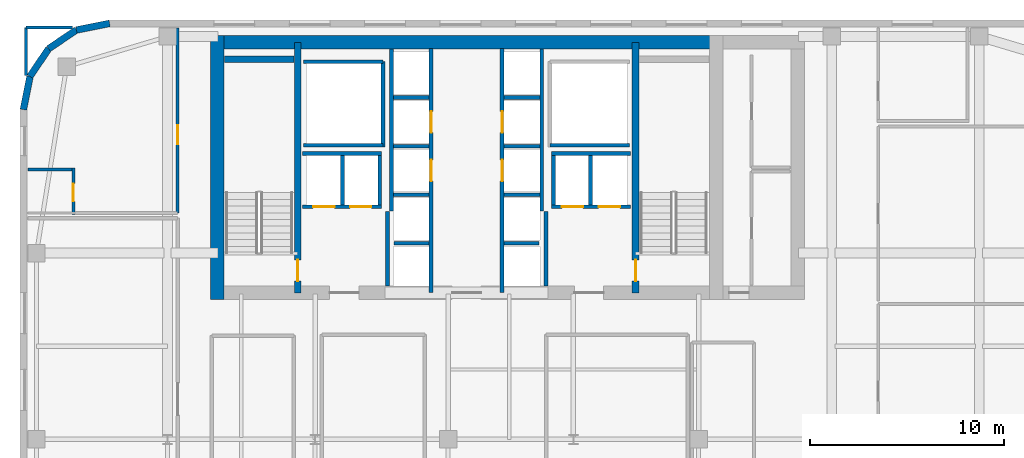
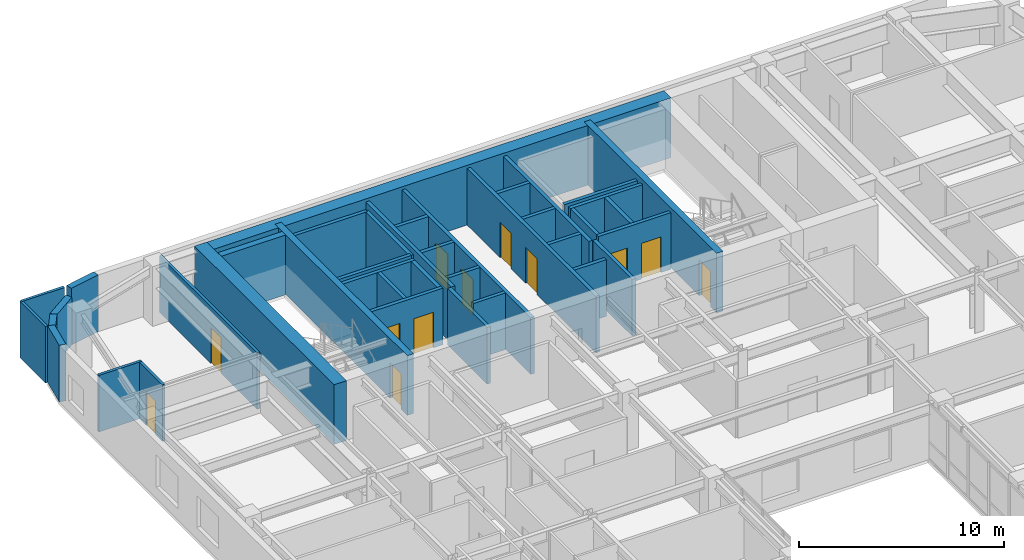
# One storey, part 14 of 17: 40 walls, 12 doors, 12 openings.
"""IFC4 building model written with IfcOpenShell, lengths in metres."""

from ifc_helpers import new_model, si_unit, direction, frame, frame_2d, origin, place, context, subcontext, project, spatial, rectangle, extrude, source, transform, mapped, material, layer, layer_set, type_object, type_shapes, element, fill, save


model = new_model("IFC4")

# Units and contexts
model_context = context("Model", 3, precision=1e-05, world=origin(), true_north=direction((0.0, 1.0)))
body_context = subcontext(model_context, "Body", "Model", "MODEL_VIEW")
ifc_project = project(units=[si_unit("LENGTHUNIT", "METRE"), si_unit("AREAUNIT", "SQUARE_METRE"), si_unit("VOLUMEUNIT", "CUBIC_METRE"), si_unit("PLANEANGLEUNIT", "RADIAN"), si_unit("MASSUNIT", "GRAM", prefix="KILO")], contexts=[model_context])

# Site, building, storey
site_placement = place(None, origin())
site = spatial("IfcSite", under=ifc_project, at=site_placement, CompositionType="ELEMENT")
building_placement = place(site_placement, origin())
building = spatial("IfcBuilding", under=site, at=building_placement, Name="Tolvann Quenvar Hotel", CompositionType="ELEMENT")
storey_placement = place(building_placement, frame((0.0, 0.0, 129.300048828125)))
storey = spatial("IfcBuildingStorey", under=building, at=storey_placement, Name="L33", CompositionType="ELEMENT", Elevation=129.300048828125)

# Walls
ifc_material_1 = material(Name="Concrete S65 (65 MPa)", Category="concrete")
ifc_layer_1 = layer(ifc_material_1, 0.699951171875)
ifc_layer_set_1 = layer_set([ifc_layer_1], Name="Concrete S65 (65 MPa)")
wall_type_1 = type_object("IfcWallType", Name="WALL_CORE_700", PredefinedType="SHEAR", material=ifc_layer_set_1)
wall_1_placement = place(storey_placement, frame((9.800048828125, 44.85009765625, 0.0), z_axis=(0.0, 0.0, 1.0), x_axis=(1.0, 0.0, 0.0)))
element("IfcWall", 1, at=wall_1_placement, inside=storey, type_object=wall_type_1, Name="Rear Core N Shear Wall (L33)", PredefinedType="SHEAR", context=body_context, shape_type="SweptSolid", body=[
    extrude(rectangle(XDim=26.39990234375, YDim=0.699951171875, at=frame_2d((13.199951171875, 0.0))), origin(), (0.0, 0.0, 1.0), 3.550048828125),
])
wall_2_placement = place(storey_placement, frame((10.14990234375, 31.60009765625, 0.0), z_axis=(0.0, 0.0, 1.0), x_axis=(0.0, 1.0, 0.0)))
element("IfcWall", 2, at=wall_2_placement, inside=storey, type_object=wall_type_1, Name="Rear Core W Shear Wall (L33)", PredefinedType="SHEAR", context=body_context, shape_type="SweptSolid", body=[
    extrude(rectangle(XDim=13.599853515625, YDim=0.699951171875, at=frame_2d((6.7998046875, 0.0))), origin(), (0.0, 0.0, 1.0), 3.550048828125),
])

# Wall, opening, door
ifc_layer_2 = layer(ifc_material_1, 0.35009765625)
ifc_layer_set_2 = layer_set([ifc_layer_2], Name="Concrete S65 (65 MPa)")
wall_type_2 = type_object("IfcWallType", Name="WALL_CORE_INT_350", PredefinedType="SHEAR", material=ifc_layer_set_2)
wall_3_placement = place(storey_placement, frame((14.300048828125, 31.949951171875, 0.0), z_axis=(0.0, 0.0, 1.0), x_axis=(0.0, 1.0, 0.0)))
wall_3 = element("IfcWall", 3, at=wall_3_placement, inside=storey, type_object=wall_type_2, Name="Core Internal Web Shear Wall WEB-W (L33)", PredefinedType="SHEAR", context=body_context, shape_type="SweptSolid", body=[
    extrude(rectangle(XDim=12.900146484375, YDim=0.35009765625, at=frame_2d((6.4501953125, 0.0))), origin(), (0.0, 0.0, 1.0), 3.550048828125),
])
opening_1_placement = place(wall_3_placement, frame((0.60009765625, 0.0, 0.0)))
opening_1 = element("IfcOpeningElement", 4, at=opening_1_placement, cuts=wall_3, Name="Opening FD-120", PredefinedType="OPENING", context=body_context, shape_type="SweptSolid", body=[
    extrude(rectangle(XDim=1.10009765625, YDim=2.1201171875, at=frame_2d((0.550048828125, 1.06005859375))), frame((0.0, 0.18505859375, 0.0), z_axis=(0.0, -1.0, 0.0), x_axis=(1.0, 0.0, 0.0)), (0.0, 0.0, 1.0), 0.3701171875),
])
ifc_material_2 = material(Name="Pressed galvanised steel fire-rated door set", Category="steel")
door_type_1 = type_object("IfcDoorType", Name="DOOR_FIRE_STAIR_1100", OperationType="NOTDEFINED", PredefinedType="DOOR", material=ifc_material_2)
shared_shape_1 = source(origin(), body_context, "Body", "SweptSolid", [
    extrude(rectangle(XDim=1.10009765625, YDim=2.1201171875, at=frame_2d((0.550048828125, 1.06005859375))), frame((0.0, 0.02490234375, 0.0), z_axis=(0.0, -1.0, 0.0), x_axis=(1.0, 0.0, 0.0)), (0.0, 0.0, 1.0), 0.050048828125),
])
type_shapes(door_type_1, [shared_shape_1])
door_1_placement = place(opening_1_placement, origin())
door_1 = element("IfcDoor", 5, at=door_1_placement, inside=storey, type_object=door_type_1, Name="Exit Stair ST-C1 Fire Door (L33)", OperationType="SINGLE_SWING_RIGHT", OverallHeight=2.1201171875, OverallWidth=1.10009765625, PredefinedType="DOOR", context=body_context, shape_type="MappedRepresentation", body=[
    mapped(shared_shape_1, transform((0.0, 0.0, 0.0), x_axis=(1.0, 0.0, 0.0), y_axis=(0.0, 1.0, 0.0), z_axis=(0.0, 0.0, 1.0), scale=1.0)),
])
fill(opening_1, door_1)

wall_4_placement = place(storey_placement, frame((31.699951171875, 31.949951171875, 0.0), z_axis=(0.0, 0.0, 1.0), x_axis=(0.0, 1.0, 0.0)))
wall_4 = element("IfcWall", 6, at=wall_4_placement, inside=storey, type_object=wall_type_2, Name="Core Internal Web Shear Wall WEB-E (L33)", PredefinedType="SHEAR", context=body_context, shape_type="SweptSolid", body=[
    extrude(rectangle(XDim=12.900146484375, YDim=0.35009765625, at=frame_2d((6.4501953125, 0.0))), origin(), (0.0, 0.0, 1.0), 3.550048828125),
])
opening_2_placement = place(wall_4_placement, frame((1.7001953125, 0.0, 0.0), z_axis=(0.0, 0.0, 1.0), x_axis=(-1.0, 0.0, 0.0)))
opening_2 = element("IfcOpeningElement", 7, at=opening_2_placement, cuts=wall_4, Name="Opening FD-120", PredefinedType="OPENING", context=body_context, shape_type="SweptSolid", body=[
    extrude(rectangle(XDim=1.10009765625, YDim=2.1201171875, at=frame_2d((0.550048828125, 1.06005859375))), frame((0.0, 0.18505859375, 0.0), z_axis=(0.0, -1.0, 0.0), x_axis=(1.0, 0.0, 0.0)), (0.0, 0.0, 1.0), 0.3701171875),
])
door_2_placement = place(opening_2_placement, origin())
door_2 = element("IfcDoor", 8, at=door_2_placement, inside=storey, type_object=door_type_1, Name="Exit Stair ST-C2 Fire Door (L33)", OperationType="SINGLE_SWING_LEFT", OverallHeight=2.1201171875, OverallWidth=1.10009765625, PredefinedType="DOOR", context=body_context, shape_type="MappedRepresentation", body=[
    mapped(shared_shape_1, transform((0.0, 0.0, 0.0), x_axis=(1.0, 0.0, 0.0), y_axis=(0.0, 1.0, 0.0), z_axis=(0.0, 0.0, 1.0), scale=1.0)),
])
fill(opening_2, door_2)

# Walls
wall_5_placement = place(storey_placement, frame((10.52001953125, 43.97509765625, 0.0), z_axis=(0.0, 0.0, 1.0), x_axis=(1.0, 0.0, 0.0)))
element("IfcWall", 9, at=wall_5_placement, inside=storey, type_object=wall_type_2, Name="Core Stair North Closing Shear Wall STC1-N (L33)", PredefinedType="SHEAR", context=body_context, shape_type="SweptSolid", body=[
    extrude(rectangle(XDim=3.60009765625, YDim=0.35009765625, at=frame_2d((1.800048828125, 0.0))), origin(), (0.0, 0.0, 1.0), 3.550048828125),
])
ifc_material_3 = material(Name="Kiln-fired red and buff architectural clay brickwork and terracotta masonry", Category="masonry")
ifc_layer_3 = layer(ifc_material_3, 0.35009765625)
ifc_layer_set_3 = layer_set([ifc_layer_3], Name="Kiln-fired red and buff architectural clay brickwork and terracotta masonry")
wall_type_3 = type_object("IfcWallType", Name="WALL_EXT_BRICK_350", PredefinedType="SOLIDWALL", material=ifc_layer_set_3)
wall_6_placement = place(storey_placement, frame((4.6171875, 45.824951171875, 0.0), z_axis=(0.0, 0.0, 1.0), x_axis=(-0.980800971659, -0.195011420161, 0.0)))
element("IfcWall", 10, at=wall_6_placement, inside=storey, type_object=wall_type_3, Name="Exterior Chicago Brick Wall L33-E19", PredefinedType="SOLIDWALL", context=body_context, shape_type="SweptSolid", body=[
    extrude(rectangle(XDim=1.74267578125, YDim=0.35009765625, at=frame_2d((0.871337890625, 0.0))), origin(), (0.0, 0.0, 1.0), 3.369873046875),
])
for number, where, z_axis, x_axis, name in (
    (11, (2.907958984375, 45.485107421875, 0.0), (0.0, 0.0, 1.0), (-0.831483840845, -0.55554893791, 0.0), "Exterior Chicago Brick Wall L33-E20"),
    (12, (1.473388671875, 44.526611328125, 0.0), (0.0, 0.0, 1.0), (-0.55554893791, -0.831483840845, 0.0), "Exterior Chicago Brick Wall L33-E21"),
):
    element("IfcWall", number, at=place(storey_placement, frame(where, z_axis=z_axis, x_axis=x_axis)), inside=storey, type_object=wall_type_3, Name=name, PredefinedType="SOLIDWALL", context=body_context, shape_type="SweptSolid", body=[
        extrude(rectangle(XDim=1.725341796875, YDim=0.35009765625, at=frame_2d((0.86279296875, 0.0))), origin(), (0.0, 0.0, 1.0), 2.83203125),
    ])
wall_7_placement = place(storey_placement, frame((0.514892578125, 43.092041015625, 0.0), z_axis=(0.0, 0.0, 1.0), x_axis=(-0.195011420161, -0.980800971659, 0.0)))
element("IfcWall", 13, at=wall_7_placement, inside=storey, type_object=wall_type_3, Name="Exterior Chicago Brick Wall L33-E22", PredefinedType="SOLIDWALL", context=body_context, shape_type="SweptSolid", body=[
    extrude(rectangle(XDim=1.74267578125, YDim=0.35009765625, at=frame_2d((0.871337890625, 0.0))), origin(), (0.0, 0.0, 1.0), 3.369873046875),
])

# Wall, opening, door
ifc_material_4 = material(Name="Acoustic twin-stud fire-rated gypsum plasterboard partition")
ifc_layer_4 = layer(ifc_material_4, 0.14990234375)
ifc_layer_set_4 = layer_set([ifc_layer_4], Name="Acoustic twin-stud fire-rated gypsum plasterboard partition")
wall_type_4 = type_object("IfcWallType", Name="WALL_PART_SUITE_150", PredefinedType="PARTITIONING", material=ifc_layer_set_4)
wall_8_placement = place(storey_placement, frame((2.75, 35.989990234375, 0.0), z_axis=(0.0, 0.0, 1.0), x_axis=(0.0, 1.0, 0.0)))
wall_8 = element("IfcWall", 14, at=wall_8_placement, inside=storey, type_object=wall_type_4, Name="Interior Partition PT-SPC-L33-ENS-NW01-ENT", PredefinedType="PARTITIONING", context=body_context, shape_type="SweptSolid", body=[
    extrude(rectangle(XDim=2.389892578125, YDim=0.14990234375, at=frame_2d((1.19482421875, 0.0))), origin(), (0.0, 0.0, 1.0), 3.369873046875),
])
opening_3_placement = place(wall_8_placement, frame((0.6650390625, 0.0, 0.0)))
opening_3 = element("IfcOpeningElement", 15, at=opening_3_placement, cuts=wall_8, Name="Opening WD-01", PredefinedType="OPENING", context=body_context, shape_type="SweptSolid", body=[
    extrude(rectangle(XDim=0.919921875, YDim=2.010009765625, at=frame_2d((0.4599609375, 1.0048828125))), frame((0.0, 0.0849609375, 0.0), z_axis=(0.0, -1.0, 0.0), x_axis=(1.0, 0.0, 0.0)), (0.0, 0.0, 1.0), 0.169921875),
])
ifc_material_5 = material(Name="Solid-core American oak acoustic fire door leaf in steel frame", Category="steel")
door_type_2 = type_object("IfcDoorType", Name="DOOR_WC_920", OperationType="NOTDEFINED", PredefinedType="DOOR", material=ifc_material_5)
shared_shape_2 = source(origin(), body_context, "Body", "SweptSolid", [
    extrude(rectangle(XDim=0.919921875, YDim=2.010009765625, at=frame_2d((0.4599609375, 1.0048828125))), frame((0.0, 0.02490234375, 0.0), z_axis=(0.0, -1.0, 0.0), x_axis=(1.0, 0.0, 0.0)), (0.0, 0.0, 1.0), 0.050048828125),
])
type_shapes(door_type_2, [shared_shape_2])
door_3_placement = place(opening_3_placement, origin())
door_3 = element("IfcDoor", 16, at=door_3_placement, inside=storey, type_object=door_type_2, Name="Interior Door DOOR-SPC-L33-ENS-NW01", OperationType="SINGLE_SWING_RIGHT", OverallHeight=2.010009765625, OverallWidth=0.919921875, PredefinedType="DOOR", context=body_context, shape_type="MappedRepresentation", body=[
    mapped(shared_shape_2, transform((0.0, 0.0, 0.0), x_axis=(1.0, 0.0, 0.0), y_axis=(0.0, 1.0, 0.0), z_axis=(0.0, 0.0, 1.0), scale=1.0)),
])
fill(opening_3, door_3)

# Wall
wall_9_placement = place(storey_placement, frame((0.405029296875, 38.31005859375, 0.0), z_axis=(0.0, 0.0, 1.0), x_axis=(1.0, 0.0, 0.0)))
element("IfcWall", 17, at=wall_9_placement, inside=storey, type_object=wall_type_4, Name="Interior Partition PT-SPC-L33-ENS-NW01-N", PredefinedType="PARTITIONING", context=body_context, shape_type="SweptSolid", body=[
    extrude(rectangle(XDim=2.4150390625, YDim=0.14990234375, at=frame_2d((1.20751953125, 0.0))), origin(), (0.0, 0.0, 1.0), 3.369873046875),
])

# Wall, opening, door
wall_10_placement = place(storey_placement, frame((8.1201171875, 36.06005859375, 0.0), z_axis=(0.0, 0.0, 1.0), x_axis=(0.0, 1.0, 0.0)))
wall_10 = element("IfcWall", 18, at=wall_10_placement, inside=storey, type_object=wall_type_4, Name="Interior Partition PT-SPC-L33-RM-NW01-ENT", PredefinedType="PARTITIONING", context=body_context, shape_type="SweptSolid", body=[
    extrude(rectangle(XDim=9.534912109375, YDim=0.14990234375, at=frame_2d((4.767578125, 0.0))), origin(), (0.0, 0.0, 1.0), 3.369873046875),
])
opening_4_placement = place(wall_10_placement, frame((3.530029296875, 0.0, 0.0)))
opening_4 = element("IfcOpeningElement", 19, at=opening_4_placement, cuts=wall_10, Name="Opening SD-01", PredefinedType="OPENING", context=body_context, shape_type="SweptSolid", body=[
    extrude(rectangle(XDim=0.97998046875, YDim=2.1201171875, at=frame_2d((0.489990234375, 1.06005859375))), frame((0.0, 0.0849609375, 0.0), z_axis=(0.0, -1.0, 0.0), x_axis=(1.0, 0.0, 0.0)), (0.0, 0.0, 1.0), 0.169921875),
])
door_type_3 = type_object("IfcDoorType", Name="DOOR_SUITE_980", OperationType="NOTDEFINED", PredefinedType="DOOR", material=ifc_material_5)
shared_shape_3 = source(origin(), body_context, "Body", "SweptSolid", [
    extrude(rectangle(XDim=0.97998046875, YDim=2.1201171875, at=frame_2d((0.489990234375, 1.06005859375))), frame((0.0, 0.02490234375, 0.0), z_axis=(0.0, -1.0, 0.0), x_axis=(1.0, 0.0, 0.0)), (0.0, 0.0, 1.0), 0.050048828125),
])
type_shapes(door_type_3, [shared_shape_3])
door_4_placement = place(opening_4_placement, origin())
door_4 = element("IfcDoor", 20, at=door_4_placement, inside=storey, type_object=door_type_3, Name="Interior Door DOOR-SPC-L33-RM-NW01", OperationType="SINGLE_SWING_LEFT", OverallHeight=2.1201171875, OverallWidth=0.97998046875, PredefinedType="DOOR", context=body_context, shape_type="MappedRepresentation", body=[
    mapped(shared_shape_3, transform((0.0, 0.0, 0.0), x_axis=(1.0, 0.0, 0.0), y_axis=(0.0, 1.0, 0.0), z_axis=(0.0, 0.0, 1.0), scale=1.0)),
])
fill(opening_4, door_4)

# Walls
wall_11_placement = place(storey_placement, frame((0.300048828125, 45.6201171875, 0.0), z_axis=(0.0, 0.0, 1.0), x_axis=(1.0, 0.0, 0.0)))
element("IfcWall", 21, at=wall_11_placement, inside=storey, type_object=wall_type_4, Name="Interior Partition PT-SPC-L33-RM-NW01-E5", PredefinedType="PARTITIONING", context=body_context, shape_type="SweptSolid", body=[
    extrude(rectangle(XDim=2.39599609375, YDim=0.14990234375, at=frame_2d((1.197998046875, 0.0))), origin(), (0.0, 0.0, 1.0), 3.369873046875),
])
wall_12_placement = place(storey_placement, frame((0.300048828125, 43.135009765625, 0.0), z_axis=(0.0, 0.0, 1.0), x_axis=(0.0, 1.0, 0.0)))
element("IfcWall", 22, at=wall_12_placement, inside=storey, type_object=wall_type_4, Name="Interior Partition PT-SPC-L33-RM-NW01-E6", PredefinedType="PARTITIONING", context=body_context, shape_type="SweptSolid", body=[
    extrude(rectangle(XDim=2.485107421875, YDim=0.14990234375, at=frame_2d((1.24267578125, 0.0))), origin(), (0.0, 0.0, 1.0), 3.369873046875),
])
ifc_material_6 = material(Name="Concrete N40 (40 MPa)", Category="concrete")
ifc_layer_5 = layer(ifc_material_6, 0.199951171875)
ifc_layer_set_5 = layer_set([ifc_layer_5], Name="Concrete N40 (40 MPa)")
wall_type_5 = type_object("IfcWallType", Name="WALL_SHAFT_200", PredefinedType="SOLIDWALL", material=ifc_layer_set_5)
wall_13_placement = place(storey_placement, frame((18.699951171875, 39.449951171875, 0.0), z_axis=(0.0, 0.0, 1.0), x_axis=(0.0, 1.0, 0.0)))
element("IfcWall", 23, at=wall_13_placement, inside=storey, type_object=wall_type_5, Name="Service Riser W Shaft Wall IN (L33)", PredefinedType="SOLIDWALL", context=body_context, shape_type="SweptSolid", body=[
    extrude(rectangle(XDim=4.400146484375, YDim=0.199951171875, at=frame_2d((2.2001953125, 0.0))), origin(), (0.0, 0.0, 1.0), 3.369873046875),
])
for number, where, z_axis, x_axis, name in (
    (24, (14.60009765625, 39.550048828125, 0.0), (0.0, 0.0, 1.0), (1.0, 0.0, 0.0), "Service Riser W Shaft Wall S (L33)"),
    (25, (14.60009765625, 43.85009765625, 0.0), (0.0, 0.0, 1.0), (1.0, 0.0, 0.0), "Service Riser W Shaft Wall N (L33)"),
    (26, (27.300048828125, 39.550048828125, 0.0), (0.0, 0.0, 1.0), (1.0, 0.0, 0.0), "Service Riser E Shaft Wall S (L33)"),
):
    element("IfcWall", number, at=place(storey_placement, frame(where, z_axis=z_axis, x_axis=x_axis)), inside=storey, type_object=wall_type_5, Name=name, PredefinedType="SOLIDWALL", context=body_context, shape_type="SweptSolid", body=[
        extrude(rectangle(XDim=4.099853515625, YDim=0.199951171875, at=frame_2d((2.0498046875, 0.0))), origin(), (0.0, 0.0, 1.0), 3.369873046875),
    ])
for number, where, z_axis, x_axis, name in (
    (27, (18.919921875, 32.303955078125, 0.0), (0.0, 0.0, 1.0), (0.0, 1.0, 0.0), "Firefighting Lobby W Inner Fire Wall (L33)"),
    (28, (27.080078125, 32.303955078125, 0.0), (0.0, 0.0, 1.0), (0.0, 1.0, 0.0), "Firefighting Lobby E Inner Fire Wall (L33)"),
):
    element("IfcWall", number, at=place(storey_placement, frame(where, z_axis=z_axis, x_axis=x_axis)), inside=storey, type_object=wall_type_5, Name=name, PredefinedType="SOLIDWALL", context=body_context, shape_type="SweptSolid", body=[
        extrude(rectangle(XDim=3.845947265625, YDim=0.199951171875, at=frame_2d((1.9228515625, 0.0))), origin(), (0.0, 0.0, 1.0), 3.369873046875),
    ])

# Wall, openings, doors
wall_14_placement = place(storey_placement, frame((21.169921875, 31.9599609375, 0.0), z_axis=(0.0, 0.0, 1.0), x_axis=(0.0, 1.0, 0.0)))
wall_14 = element("IfcWall", 29, at=wall_14_placement, inside=storey, type_object=wall_type_5, Name="Lift Bank E21.1C1 Hoistway Front Wall (L33)", PredefinedType="SOLIDWALL", context=body_context, shape_type="SweptSolid", body=[
    extrude(rectangle(XDim=12.580078125, YDim=0.199951171875, at=frame_2d((6.2900390625, 0.0))), origin(), (0.0, 0.0, 1.0), 3.369873046875),
])
opening_5_placement = place(wall_14_placement, frame((5.739990234375, 0.0, 0.0)))
opening_5 = element("IfcOpeningElement", 30, at=opening_5_placement, cuts=wall_14, Name="Opening LD-01", PredefinedType="OPENING", context=body_context, shape_type="SweptSolid", body=[
    extrude(rectangle(XDim=1.10009765625, YDim=2.1201171875, at=frame_2d((0.550048828125, 1.06005859375))), frame((0.0, 0.10986328125, 0.0), z_axis=(0.0, -1.0, 0.0), x_axis=(1.0, 0.0, 0.0)), (0.0, 0.0, 1.0), 0.219970703125),
])
opening_6_placement = place(wall_14_placement, frame((8.239990234375, 0.0, 0.0)))
opening_6 = element("IfcOpeningElement", 31, at=opening_6_placement, cuts=wall_14, Name="Opening LD-01", PredefinedType="OPENING", context=body_context, shape_type="SweptSolid", body=[
    extrude(rectangle(XDim=1.10009765625, YDim=2.1201171875, at=frame_2d((0.550048828125, 1.06005859375))), frame((0.0, 0.10986328125, 0.0), z_axis=(0.0, -1.0, 0.0), x_axis=(1.0, 0.0, 0.0)), (0.0, 0.0, 1.0), 0.219970703125),
])
ifc_material_7 = material(Name="Brushed 316 stainless steel automatic sliding lift landing door", Category="steel")
door_type_4 = type_object("IfcDoorType", Name="DOOR_LIFT_SLIDE_1100", OperationType="NOTDEFINED", PredefinedType="DOOR", material=ifc_material_7)
shared_shape_4 = source(origin(), body_context, "Body", "SweptSolid", [
    extrude(rectangle(XDim=1.10009765625, YDim=2.1201171875, at=frame_2d((0.550048828125, 1.06005859375))), frame((0.0, 0.02490234375, 0.0), z_axis=(0.0, -1.0, 0.0), x_axis=(1.0, 0.0, 0.0)), (0.0, 0.0, 1.0), 0.050048828125),
])
type_shapes(door_type_4, [shared_shape_4])
door_5_placement = place(opening_5_placement, origin())
door_5 = element("IfcDoor", 32, at=door_5_placement, inside=storey, type_object=door_type_4, Name="Lift PM-1 Sliding Landing Door (L33)", OperationType="SLIDING_TO_RIGHT", OverallHeight=2.1201171875, OverallWidth=1.10009765625, PredefinedType="DOOR", context=body_context, shape_type="MappedRepresentation", body=[
    mapped(shared_shape_4, transform((0.0, 0.0, 0.0), x_axis=(1.0, 0.0, 0.0), y_axis=(0.0, 1.0, 0.0), z_axis=(0.0, 0.0, 1.0), scale=1.0)),
])
fill(opening_5, door_5)
door_6_placement = place(opening_6_placement, origin())
door_6 = element("IfcDoor", 33, at=door_6_placement, inside=storey, type_object=door_type_4, Name="Lift PM-2 Sliding Landing Door (L33)", OperationType="SLIDING_TO_LEFT", OverallHeight=2.1201171875, OverallWidth=1.10009765625, PredefinedType="DOOR", context=body_context, shape_type="MappedRepresentation", body=[
    mapped(shared_shape_4, transform((0.0, 0.0, 0.0), x_axis=(1.0, 0.0, 0.0), y_axis=(0.0, 1.0, 0.0), z_axis=(0.0, 0.0, 1.0), scale=1.0)),
])
fill(opening_6, door_6)

# Walls
wall_15_placement = place(storey_placement, frame((19.1298828125, 36.159912109375, 0.0), z_axis=(0.0, 0.0, 1.0), x_axis=(0.0, 1.0, 0.0)))
element("IfcWall", 34, at=wall_15_placement, inside=storey, type_object=wall_type_5, Name="Lift Bank E21.1C1 Hoistway Rear Wall (L33)", PredefinedType="SOLIDWALL", context=body_context, shape_type="SweptSolid", body=[
    extrude(rectangle(XDim=8.336181640625, YDim=0.199951171875, at=frame_2d((4.16796875, 0.0))), origin(), (0.0, 0.0, 1.0), 3.369873046875),
])
wall_16_placement = place(storey_placement, frame((19.27001953125, 34.5, 0.0), z_axis=(0.0, 0.0, 1.0), x_axis=(1.0, 0.0, 0.0)))
element("IfcWall", 35, at=wall_16_placement, inside=storey, type_object=wall_type_5, Name="Lift Bank E21.1C1 Divider Wall 1 (L33)", PredefinedType="SOLIDWALL", context=body_context, shape_type="SweptSolid", body=[
    extrude(rectangle(XDim=1.800048828125, YDim=0.199951171875, at=frame_2d((0.89990234375, 0.0))), origin(), (0.0, 0.0, 1.0), 3.369873046875),
])
for number, where, z_axis, x_axis, name in (
    (36, (19.22998046875, 37.0, 0.0), (0.0, 0.0, 1.0), (1.0, 0.0, 0.0), "Lift Bank E21.1C1 Divider Wall 2 (L33)"),
    (37, (19.22998046875, 39.5, 0.0), (0.0, 0.0, 1.0), (1.0, 0.0, 0.0), "Lift Bank E21.1C1 Divider Wall 3 (L33)"),
    (38, (19.22998046875, 42.0, 0.0), (0.0, 0.0, 1.0), (1.0, 0.0, 0.0), "Lift Bank E21.1C1 Divider Wall 4 (L33)"),
):
    element("IfcWall", number, at=place(storey_placement, frame(where, z_axis=z_axis, x_axis=x_axis)), inside=storey, type_object=wall_type_5, Name=name, PredefinedType="SOLIDWALL", context=body_context, shape_type="SweptSolid", body=[
        extrude(rectangle(XDim=1.840087890625, YDim=0.199951171875, at=frame_2d((0.919921875, 0.0))), origin(), (0.0, 0.0, 1.0), 3.369873046875),
    ])

# Wall, openings, doors
wall_17_placement = place(storey_placement, frame((27.375, 36.3798828125, 0.0), z_axis=(0.0, 0.0, 1.0), x_axis=(1.0, 0.0, 0.0)))
wall_17 = element("IfcWall", 39, at=wall_17_placement, inside=storey, type_object=wall_type_5, Name="Lift Bank SEC1 Hoistway Front Wall (L33)", PredefinedType="SOLIDWALL", context=body_context, shape_type="SweptSolid", body=[
    extrude(rectangle(XDim=4.074951171875, YDim=0.199951171875, at=frame_2d((2.03759765625, 0.0))), origin(), (0.0, 0.0, 1.0), 3.369873046875),
])
opening_7_placement = place(wall_17_placement, frame((0.52490234375, 0.0, 0.0)))
opening_7 = element("IfcOpeningElement", 40, at=opening_7_placement, cuts=wall_17, Name="Opening LD-01", PredefinedType="OPENING", context=body_context, shape_type="SweptSolid", body=[
    extrude(rectangle(XDim=1.10009765625, YDim=2.1201171875, at=frame_2d((0.550048828125, 1.06005859375))), frame((0.0, 0.10986328125, 0.0), z_axis=(0.0, -1.0, 0.0), x_axis=(1.0, 0.0, 0.0)), (0.0, 0.0, 1.0), 0.219970703125),
])
opening_8_placement = place(wall_17_placement, frame((2.425048828125, 0.0, 0.0)))
opening_8 = element("IfcOpeningElement", 41, at=opening_8_placement, cuts=wall_17, Name="Opening LD-01", PredefinedType="OPENING", context=body_context, shape_type="SweptSolid", body=[
    extrude(rectangle(XDim=1.10009765625, YDim=2.1201171875, at=frame_2d((0.550048828125, 1.06005859375))), frame((0.0, 0.10986328125, 0.0), z_axis=(0.0, -1.0, 0.0), x_axis=(1.0, 0.0, 0.0)), (0.0, 0.0, 1.0), 0.219970703125),
])
door_7_placement = place(opening_7_placement, origin())
door_7 = element("IfcDoor", 42, at=door_7_placement, inside=storey, type_object=door_type_4, Name="Lift SV-2 Sliding Landing Door (L33)", OperationType="SLIDING_TO_LEFT", OverallHeight=2.1201171875, OverallWidth=1.10009765625, PredefinedType="DOOR", context=body_context, shape_type="MappedRepresentation", body=[
    mapped(shared_shape_4, transform((0.0, 0.0, 0.0), x_axis=(1.0, 0.0, 0.0), y_axis=(0.0, 1.0, 0.0), z_axis=(0.0, 0.0, 1.0), scale=1.0)),
])
fill(opening_7, door_7)
door_8_placement = place(opening_8_placement, origin())
door_8 = element("IfcDoor", 43, at=door_8_placement, inside=storey, type_object=door_type_4, Name="Lift FF-2 Sliding Landing Door (L33)", OperationType="SLIDING_TO_RIGHT", OverallHeight=2.1201171875, OverallWidth=1.10009765625, PredefinedType="DOOR", context=body_context, shape_type="MappedRepresentation", body=[
    mapped(shared_shape_4, transform((0.0, 0.0, 0.0), x_axis=(1.0, 0.0, 0.0), y_axis=(0.0, 1.0, 0.0), z_axis=(0.0, 0.0, 1.0), scale=1.0)),
])
fill(opening_8, door_8)

# Walls
wall_18_placement = place(storey_placement, frame((27.375, 39.1201171875, 0.0), z_axis=(0.0, 0.0, 1.0), x_axis=(1.0, 0.0, 0.0)))
element("IfcWall", 44, at=wall_18_placement, inside=storey, type_object=wall_type_5, Name="Lift Bank SEC1 Hoistway Rear Wall (L33)", PredefinedType="SOLIDWALL", context=body_context, shape_type="SweptSolid", body=[
    extrude(rectangle(XDim=4.074951171875, YDim=0.199951171875, at=frame_2d((2.03759765625, 0.0))), origin(), (0.0, 0.0, 1.0), 3.369873046875),
])
for number, where, z_axis, x_axis, name in (
    (45, (27.47509765625, 36.47998046875, 0.0), (0.0, 0.0, 1.0), (0.0, 1.0, 0.0), "Lift Bank SEC1 Hoistway Cheek Wall 1 (L33)"),
    (46, (29.387451171875, 36.47998046875, 0.0), (0.0, 0.0, 1.0), (0.0, 1.0, 0.0), "Lift Bank SEC1 Divider Wall 1 (L33)"),
):
    element("IfcWall", number, at=place(storey_placement, frame(where, z_axis=z_axis, x_axis=x_axis)), inside=storey, type_object=wall_type_5, Name=name, PredefinedType="SOLIDWALL", context=body_context, shape_type="SweptSolid", body=[
        extrude(rectangle(XDim=2.5400390625, YDim=0.199951171875, at=frame_2d((1.27001953125, 0.0))), origin(), (0.0, 0.0, 1.0), 3.369873046875),
    ])

# Wall, openings, doors
wall_19_placement = place(storey_placement, frame((14.550048828125, 36.3798828125, 0.0), z_axis=(0.0, 0.0, 1.0), x_axis=(1.0, 0.0, 0.0)))
wall_19 = element("IfcWall", 47, at=wall_19_placement, inside=storey, type_object=wall_type_5, Name="Lift Bank SWC1 Hoistway Front Wall (L33)", PredefinedType="SOLIDWALL", context=body_context, shape_type="SweptSolid", body=[
    extrude(rectangle(XDim=4.074951171875, YDim=0.199951171875, at=frame_2d((2.03759765625, 0.0))), origin(), (0.0, 0.0, 1.0), 3.369873046875),
])
opening_9_placement = place(wall_19_placement, frame((0.550048828125, 0.0, 0.0)))
opening_9 = element("IfcOpeningElement", 48, at=opening_9_placement, cuts=wall_19, Name="Opening LD-01", PredefinedType="OPENING", context=body_context, shape_type="SweptSolid", body=[
    extrude(rectangle(XDim=1.10009765625, YDim=2.1201171875, at=frame_2d((0.550048828125, 1.06005859375))), frame((0.0, 0.10986328125, 0.0), z_axis=(0.0, -1.0, 0.0), x_axis=(1.0, 0.0, 0.0)), (0.0, 0.0, 1.0), 0.219970703125),
])
opening_10_placement = place(wall_19_placement, frame((2.449951171875, 0.0, 0.0)))
opening_10 = element("IfcOpeningElement", 49, at=opening_10_placement, cuts=wall_19, Name="Opening LD-01", PredefinedType="OPENING", context=body_context, shape_type="SweptSolid", body=[
    extrude(rectangle(XDim=1.10009765625, YDim=2.1201171875, at=frame_2d((0.550048828125, 1.06005859375))), frame((0.0, 0.10986328125, 0.0), z_axis=(0.0, -1.0, 0.0), x_axis=(1.0, 0.0, 0.0)), (0.0, 0.0, 1.0), 0.219970703125),
])
door_9_placement = place(opening_9_placement, origin())
door_9 = element("IfcDoor", 50, at=door_9_placement, inside=storey, type_object=door_type_4, Name="Lift FF-1 Sliding Landing Door (L33)", OperationType="SLIDING_TO_LEFT", OverallHeight=2.1201171875, OverallWidth=1.10009765625, PredefinedType="DOOR", context=body_context, shape_type="MappedRepresentation", body=[
    mapped(shared_shape_4, transform((0.0, 0.0, 0.0), x_axis=(1.0, 0.0, 0.0), y_axis=(0.0, 1.0, 0.0), z_axis=(0.0, 0.0, 1.0), scale=1.0)),
])
fill(opening_9, door_9)
door_10_placement = place(opening_10_placement, origin())
door_10 = element("IfcDoor", 51, at=door_10_placement, inside=storey, type_object=door_type_4, Name="Lift SV-1 Sliding Landing Door (L33)", OperationType="SLIDING_TO_RIGHT", OverallHeight=2.1201171875, OverallWidth=1.10009765625, PredefinedType="DOOR", context=body_context, shape_type="MappedRepresentation", body=[
    mapped(shared_shape_4, transform((0.0, 0.0, 0.0), x_axis=(1.0, 0.0, 0.0), y_axis=(0.0, 1.0, 0.0), z_axis=(0.0, 0.0, 1.0), scale=1.0)),
])
fill(opening_10, door_10)

# Walls
wall_20_placement = place(storey_placement, frame((14.550048828125, 39.1201171875, 0.0), z_axis=(0.0, 0.0, 1.0), x_axis=(1.0, 0.0, 0.0)))
element("IfcWall", 52, at=wall_20_placement, inside=storey, type_object=wall_type_5, Name="Lift Bank SWC1 Hoistway Rear Wall (L33)", PredefinedType="SOLIDWALL", context=body_context, shape_type="SweptSolid", body=[
    extrude(rectangle(XDim=4.074951171875, YDim=0.199951171875, at=frame_2d((2.03759765625, 0.0))), origin(), (0.0, 0.0, 1.0), 3.369873046875),
])
for number, where, z_axis, x_axis, name in (
    (53, (18.52490234375, 36.47998046875, 0.0), (0.0, 0.0, 1.0), (0.0, 1.0, 0.0), "Lift Bank SWC1 Hoistway Cheek Wall 2 (L33)"),
    (54, (16.612548828125, 36.47998046875, 0.0), (0.0, 0.0, 1.0), (0.0, 1.0, 0.0), "Lift Bank SWC1 Divider Wall 1 (L33)"),
):
    element("IfcWall", number, at=place(storey_placement, frame(where, z_axis=z_axis, x_axis=x_axis)), inside=storey, type_object=wall_type_5, Name=name, PredefinedType="SOLIDWALL", context=body_context, shape_type="SweptSolid", body=[
        extrude(rectangle(XDim=2.5400390625, YDim=0.199951171875, at=frame_2d((1.27001953125, 0.0))), origin(), (0.0, 0.0, 1.0), 3.369873046875),
    ])

# Wall, openings, doors
wall_21_placement = place(storey_placement, frame((24.830078125, 31.9599609375, 0.0), z_axis=(0.0, 0.0, 1.0), x_axis=(0.0, 1.0, 0.0)))
wall_21 = element("IfcWall", 55, at=wall_21_placement, inside=storey, type_object=wall_type_5, Name="Lift Bank W24.9C1 Hoistway Front Wall (L33)", PredefinedType="SOLIDWALL", context=body_context, shape_type="SweptSolid", body=[
    extrude(rectangle(XDim=12.580078125, YDim=0.199951171875, at=frame_2d((6.2900390625, 0.0))), origin(), (0.0, 0.0, 1.0), 3.369873046875),
])
opening_11_placement = place(wall_21_placement, frame((5.739990234375, 0.0, 0.0)))
opening_11 = element("IfcOpeningElement", 56, at=opening_11_placement, cuts=wall_21, Name="Opening LD-01", PredefinedType="OPENING", context=body_context, shape_type="SweptSolid", body=[
    extrude(rectangle(XDim=1.10009765625, YDim=2.1201171875, at=frame_2d((0.550048828125, 1.06005859375))), frame((0.0, 0.10986328125, 0.0), z_axis=(0.0, -1.0, 0.0), x_axis=(1.0, 0.0, 0.0)), (0.0, 0.0, 1.0), 0.219970703125),
])
opening_12_placement = place(wall_21_placement, frame((8.239990234375, 0.0, 0.0)))
opening_12 = element("IfcOpeningElement", 57, at=opening_12_placement, cuts=wall_21, Name="Opening LD-01", PredefinedType="OPENING", context=body_context, shape_type="SweptSolid", body=[
    extrude(rectangle(XDim=1.10009765625, YDim=2.1201171875, at=frame_2d((0.550048828125, 1.06005859375))), frame((0.0, 0.10986328125, 0.0), z_axis=(0.0, -1.0, 0.0), x_axis=(1.0, 0.0, 0.0)), (0.0, 0.0, 1.0), 0.219970703125),
])
door_11_placement = place(opening_11_placement, origin())
door_11 = element("IfcDoor", 58, at=door_11_placement, inside=storey, type_object=door_type_4, Name="Lift PM-3 Sliding Landing Door (L33)", OperationType="SLIDING_TO_RIGHT", OverallHeight=2.1201171875, OverallWidth=1.10009765625, PredefinedType="DOOR", context=body_context, shape_type="MappedRepresentation", body=[
    mapped(shared_shape_4, transform((0.0, 0.0, 0.0), x_axis=(1.0, 0.0, 0.0), y_axis=(0.0, 1.0, 0.0), z_axis=(0.0, 0.0, 1.0), scale=1.0)),
])
fill(opening_11, door_11)
door_12_placement = place(opening_12_placement, origin())
door_12 = element("IfcDoor", 59, at=door_12_placement, inside=storey, type_object=door_type_4, Name="Lift PM-4 Sliding Landing Door (L33)", OperationType="SLIDING_TO_LEFT", OverallHeight=2.1201171875, OverallWidth=1.10009765625, PredefinedType="DOOR", context=body_context, shape_type="MappedRepresentation", body=[
    mapped(shared_shape_4, transform((0.0, 0.0, 0.0), x_axis=(1.0, 0.0, 0.0), y_axis=(0.0, 1.0, 0.0), z_axis=(0.0, 0.0, 1.0), scale=1.0)),
])
fill(opening_12, door_12)

# Walls
wall_22_placement = place(storey_placement, frame((26.8701171875, 36.159912109375, 0.0), z_axis=(0.0, 0.0, 1.0), x_axis=(0.0, 1.0, 0.0)))
element("IfcWall", 60, at=wall_22_placement, inside=storey, type_object=wall_type_5, Name="Lift Bank W24.9C1 Hoistway Rear Wall (L33)", PredefinedType="SOLIDWALL", context=body_context, shape_type="SweptSolid", body=[
    extrude(rectangle(XDim=8.336181640625, YDim=0.199951171875, at=frame_2d((4.16796875, 0.0))), origin(), (0.0, 0.0, 1.0), 3.369873046875),
])
wall_23_placement = place(storey_placement, frame((24.929931640625, 34.5, 0.0), z_axis=(0.0, 0.0, 1.0), x_axis=(1.0, 0.0, 0.0)))
element("IfcWall", 61, at=wall_23_placement, inside=storey, type_object=wall_type_5, Name="Lift Bank W24.9C1 Divider Wall 1 (L33)", PredefinedType="SOLIDWALL", context=body_context, shape_type="SweptSolid", body=[
    extrude(rectangle(XDim=1.800048828125, YDim=0.199951171875, at=frame_2d((0.89990234375, 0.0))), origin(), (0.0, 0.0, 1.0), 3.369873046875),
])
for number, where, z_axis, x_axis, name in (
    (62, (24.929931640625, 37.0, 0.0), (0.0, 0.0, 1.0), (1.0, 0.0, 0.0), "Lift Bank W24.9C1 Divider Wall 2 (L33)"),
    (63, (24.929931640625, 39.5, 0.0), (0.0, 0.0, 1.0), (1.0, 0.0, 0.0), "Lift Bank W24.9C1 Divider Wall 3 (L33)"),
    (64, (24.929931640625, 42.0, 0.0), (0.0, 0.0, 1.0), (1.0, 0.0, 0.0), "Lift Bank W24.9C1 Divider Wall 4 (L33)"),
):
    element("IfcWall", number, at=place(storey_placement, frame(where, z_axis=z_axis, x_axis=x_axis)), inside=storey, type_object=wall_type_5, Name=name, PredefinedType="SOLIDWALL", context=body_context, shape_type="SweptSolid", body=[
        extrude(rectangle(XDim=1.840087890625, YDim=0.199951171875, at=frame_2d((0.919921875, 0.0))), origin(), (0.0, 0.0, 1.0), 3.369873046875),
    ])

save(model, "model.ifc")
